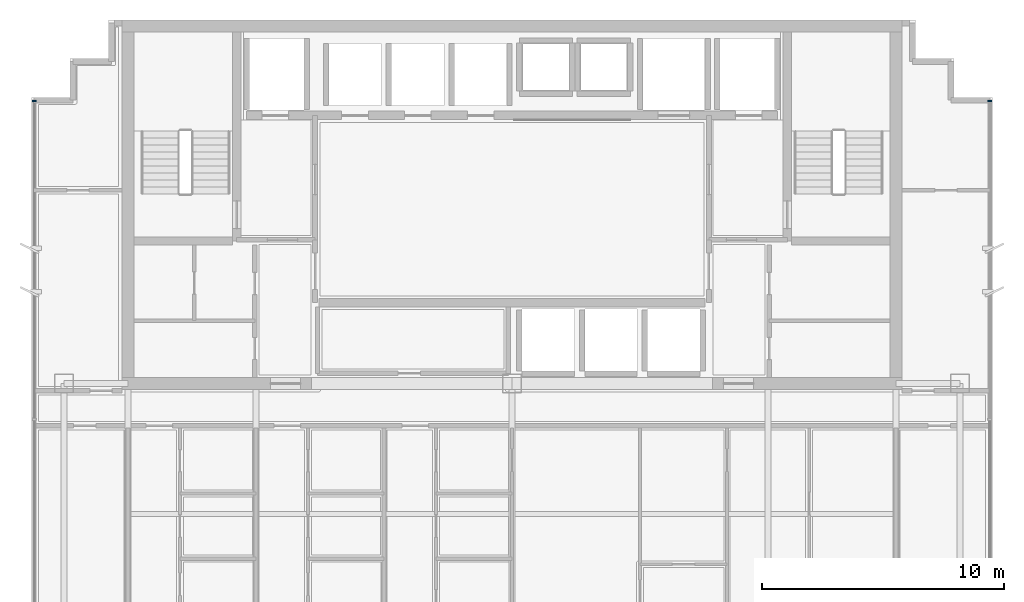
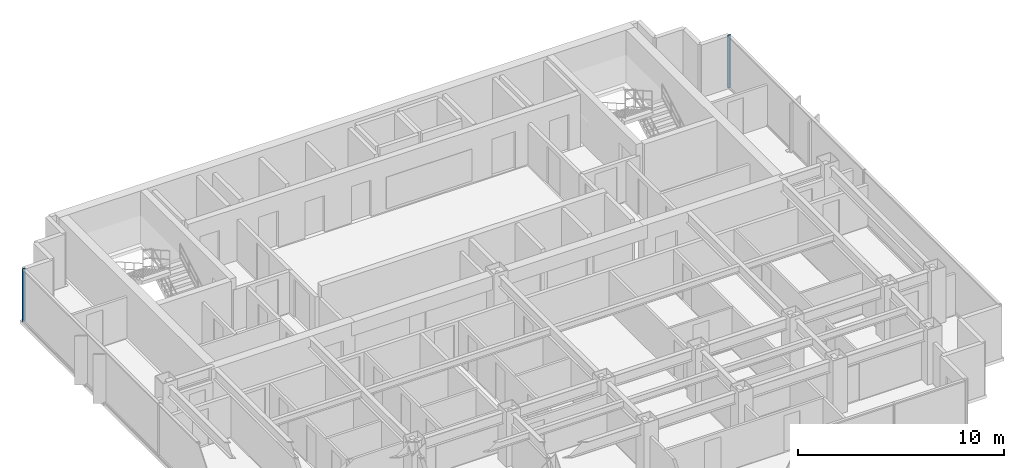
# One storey, part 5 of 12: 2 members, 2 elements without a shape of their own.
"""IFC4 building model written with IfcOpenShell, lengths in metres."""

from ifc_helpers import new_model, si_unit, direction, frame, origin, origin_2d, place, context, subcontext, project, spatial, rectangle, extrude, source, transform, mapped, material, layer, layer_set, material_profile, profile_set, type_object, element, aggregate, save


model = new_model("IFC4")

# Units and contexts
model_context = context("Model", 3, precision=1e-05, world=origin(), true_north=direction((0.0, 1.0)))
body_context = subcontext(model_context, "Body", "Model", "MODEL_VIEW")
ifc_project = project(units=[si_unit("LENGTHUNIT", "METRE"), si_unit("AREAUNIT", "SQUARE_METRE"), si_unit("VOLUMEUNIT", "CUBIC_METRE"), si_unit("PLANEANGLEUNIT", "RADIAN"), si_unit("MASSUNIT", "GRAM", prefix="KILO")], contexts=[model_context])

# Site, building, storey
site_placement = place(None, origin())
site = spatial("IfcSite", under=ifc_project, at=site_placement, CompositionType="ELEMENT")
building_placement = place(site_placement, origin())
building = spatial("IfcBuilding", under=site, at=building_placement, Name="Qianlan Lanfeng Residences", CompositionType="ELEMENT")
storey_placement = place(building_placement, frame((0.0, 0.0, 196.699951171875)))
storey = spatial("IfcBuildingStorey", under=building, at=storey_placement, Name="L53", CompositionType="ELEMENT", Elevation=196.699951171875)

# Curtain wall, member
ifc_material = material(Name="Anodised Bronze Aluminium 6063-T6", Category="aluminium")
ifc_layer = layer(ifc_material, 0.219970703125)
ifc_layer_set = layer_set([ifc_layer], Name="Anodised Bronze Aluminium 6063-T6")
curtain_wall_type = type_object("IfcCurtainWallType", Name="CW-05", PredefinedType="NOTDEFINED", material=ifc_layer_set)
curtain_wall_1_placement = place(storey_placement, origin())
curtain_wall_1 = element("IfcCurtainWall", 1, at=curtain_wall_1_placement, inside=storey, type_object=curtain_wall_type, Name="L53 Unitised Curtain Wall CWR-L53-04 (CW-05)", PredefinedType="NOTDEFINED")
ifc_material_profile = material_profile(ifc_material, rectangle(XDim=0.074951171875, YDim=0.179931640625, at=origin_2d()), Name="ALU MULLION 75x180")
ifc_profile_set = profile_set([ifc_material_profile], Name="Anodised Bronze Aluminium 6063-T6")
member_type = type_object("IfcMemberType", Name="CWM-180", PredefinedType="MULLION", material=ifc_profile_set)
shared_shape = source(origin(), body_context, "Body", "SweptSolid", [
    extrude(rectangle(XDim=0.074951171875, YDim=0.179931640625, at=origin_2d()), origin(), (0.0, 0.0, 1.0), 3.110107421875),
])
member_1_placement = place(storey_placement, frame((46.280029296875, 36.892578125, 0.0), z_axis=(0.0, 0.0, 1.0), x_axis=(0.0, 1.0, 0.0)))
member_1 = element("IfcMember", 2, at=member_1_placement, type_object=member_type, Name="CWR-L53-04 Mullion 3", PredefinedType="MULLION", context=body_context, shape_type="MappedRepresentation", body=[
    mapped(shared_shape, transform((0.0, 0.0, 0.0), scale=1.0)),
])
aggregate(curtain_wall_1, [member_1])

curtain_wall_2_placement = place(storey_placement, origin())
curtain_wall_2 = element("IfcCurtainWall", 3, at=curtain_wall_2_placement, inside=storey, type_object=curtain_wall_type, Name="L53 Unitised Curtain Wall CWR-L53-05 (CW-05)", PredefinedType="NOTDEFINED")
member_2_placement = place(storey_placement, frame((6.719970703125, 36.892578125, 0.0), z_axis=(0.0, 0.0, 1.0), x_axis=(0.0, -1.0, 0.0)))
member_2 = element("IfcMember", 4, at=member_2_placement, type_object=member_type, Name="CWR-L53-05 Mullion 1", PredefinedType="MULLION", context=body_context, shape_type="MappedRepresentation", body=[
    mapped(shared_shape, transform((0.0, 0.0, 0.0), scale=1.0)),
])
aggregate(curtain_wall_2, [member_2])

save(model, "model.ifc")
